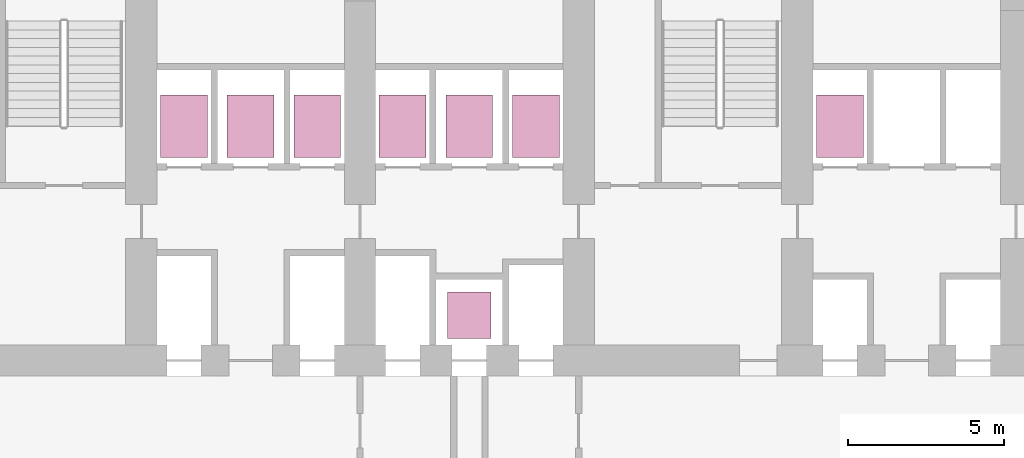
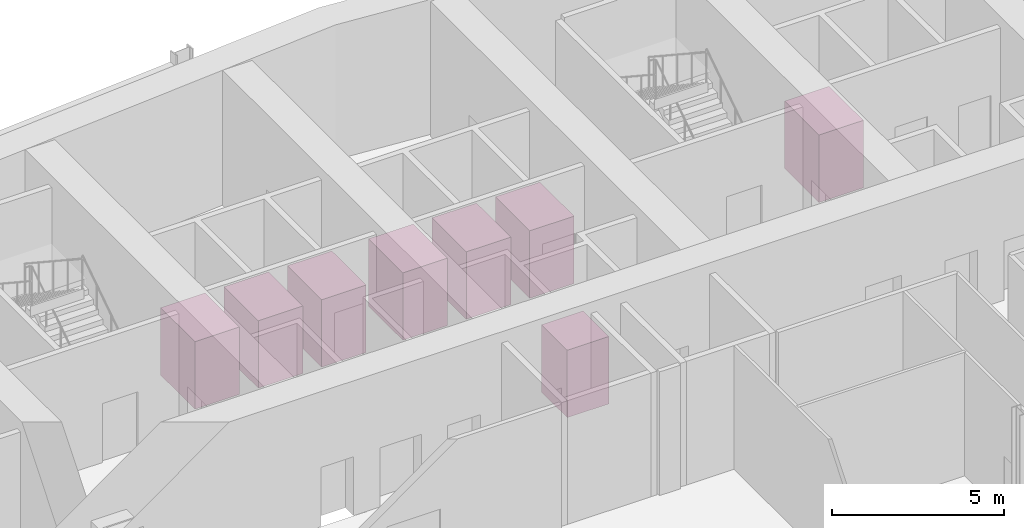
# One storey, part 42 of 42: 8 transport elements.
"""IFC4 building model written with IfcOpenShell, lengths in metres."""

import ifcopenshell
import ifcopenshell.guid

model = None  # the IFC model being written
_history = None  # IfcOwnerHistory: only IFC2X3 demands one
_inside = {}  # id of a spatial element -> (the spatial element, [elements in it])
_under = {}  # id of a project, library or spatial element -> (it, [spatial elements below it])
_declared = {}  # id of a project -> (the project, [libraries it declares])
_typed = {}  # id of a type object -> (the type object, [elements of that type])
_made_of = {}  # id of a material, layer set ... -> (it, [elements and type objects made of it])


def new_model(schema):
    """Start an empty IFC model of exactly this schema.

    Asked for "IFC4X3", IfcOpenShell would pick the latest addendum, in which some entities
    have other attributes; the version numbers below select the first issue.
    IFC2X3 requires an IfcOwnerHistory on every rooted entity: one is made here for all.
    """
    global model, _history
    if schema == "IFC4X3":
        model = ifcopenshell.file(schema_version=(4, 3, 0, 0))
    else:
        model = ifcopenshell.file(schema=schema)
    _inside.clear()
    _under.clear()
    _declared.clear()
    _typed.clear()
    _made_of.clear()
    _history = None
    if model.schema == "IFC2X3":
        org = make("IfcOrganization", Name="unknown")
        user = make(
            "IfcPersonAndOrganization",
            ThePerson=make("IfcPerson", FamilyName="unknown"),
            TheOrganization=org,
        )
        app = make(
            "IfcApplication",
            ApplicationDeveloper=org,
            Version="unknown",
            ApplicationFullName="unknown",
            ApplicationIdentifier="unknown",
        )
        _history = make(
            "IfcOwnerHistory",
            OwningUser=user,
            OwningApplication=app,
            ChangeAction="ADDED",
            CreationDate=0,
        )
    return model


def make(cls, **values):
    """One entity of the class cls with the attributes given. An attribute that is None is left unset."""
    return model.create_entity(
        cls, **{name: value for name, value in values.items() if value is not None}
    )


def rooted(cls, **values):
    """An entity with a GlobalId (a new one), such as an element, a storey or a relation."""
    return make(cls, GlobalId=ifcopenshell.guid.new(), OwnerHistory=_history, **values)


def si_unit(unit_type, name, prefix=None):
    """IfcSIUnit, for example si_unit("LENGTHUNIT", "METRE", prefix="MILLI")."""
    return make("IfcSIUnit", UnitType=unit_type, Prefix=prefix, Name=name)


def assignment(units):
    """IfcUnitAssignment: the units of a project."""
    return None if units is None else make("IfcUnitAssignment", Units=units)


def point(xyz):
    """IfcCartesianPoint."""
    return None if xyz is None else make("IfcCartesianPoint", Coordinates=xyz)


def direction(xyz):
    """IfcDirection."""
    return None if xyz is None else make("IfcDirection", DirectionRatios=xyz)


def frame(location, z_axis=None, x_axis=None):
    """IfcAxis2Placement3D, a coordinate frame: its origin and axes. An axis left out is left unset."""
    return make(
        "IfcAxis2Placement3D",
        Location=point(location),
        Axis=direction(z_axis),
        RefDirection=direction(x_axis),
    )


def frame_2d(location, x_axis=None):
    """IfcAxis2Placement2D, a coordinate frame in the plane: its origin and x axis."""
    return make(
        "IfcAxis2Placement2D", Location=point(location), RefDirection=direction(x_axis)
    )


def origin():
    """The frame at (0, 0, 0) with its axes left unset."""
    return frame((0.0, 0.0, 0.0))


def origin_2d():
    """The frame at (0, 0) in the plane with its x axis left unset."""
    return frame_2d((0.0, 0.0))


def place(relative_to, where):
    """IfcLocalPlacement: puts the frame where relative to a parent placement (None: the world)."""
    return make(
        "IfcLocalPlacement", PlacementRelTo=relative_to, RelativePlacement=where
    )


def context(
    kind, dimensions, precision=None, world=None, true_north=None, identifier=None
):
    """IfcGeometricRepresentationContext, for example the 3D "Model" context."""
    return make(
        "IfcGeometricRepresentationContext",
        ContextIdentifier=identifier,
        ContextType=kind,
        CoordinateSpaceDimension=dimensions,
        Precision=precision,
        WorldCoordinateSystem=world,
        TrueNorth=true_north,
    )


def subcontext(parent, identifier, kind, view, scale=None):
    """IfcGeometricRepresentationSubContext, for example "Body" below "Model"."""
    return make(
        "IfcGeometricRepresentationSubContext",
        ContextIdentifier=identifier,
        ContextType=kind,
        ParentContext=parent,
        TargetScale=scale,
        TargetView=view,
    )


def project(units=None, contexts=None):
    """IfcProject with its units and contexts."""
    return rooted(
        "IfcProject",
        Name="project",
        RepresentationContexts=contexts,
        UnitsInContext=assignment(units),
    )


def spatial(cls, under=None, at=None, **own):
    """A site, building, storey or space (cls), placed at a placement, below another one or the project."""
    s = rooted(cls, ObjectPlacement=at, **own)
    if under is not None:
        _under.setdefault(under.id(), (under, []))[1].append(s)
    return s


def profile(cls, at=None, kind="AREA", **sizes):
    """A parametric profile (cls). Its sizes go by their IFC names, for example OverallWidth=200.0."""
    return make(cls, ProfileType=kind, Position=at, **sizes)


def rectangle(**sizes):
    """IfcRectangleProfileDef."""
    return profile("IfcRectangleProfileDef", **sizes)


def extrude(swept, where, along, depth):
    """IfcExtrudedAreaSolid: the profile swept, set in the frame where, extruded along a direction by depth."""
    return make(
        "IfcExtrudedAreaSolid",
        SweptArea=swept,
        Position=where,
        ExtrudedDirection=direction(along),
        Depth=depth,
    )


def shape(context_of_items, identifier, shape_type, items):
    """IfcShapeRepresentation: the items that make up one representation, for example the "Body"."""
    return make(
        "IfcShapeRepresentation",
        ContextOfItems=context_of_items,
        RepresentationIdentifier=identifier,
        RepresentationType=shape_type,
        Items=items,
    )


def material(Name=None, Category=None):
    """IfcMaterial."""
    return make("IfcMaterial", Name=Name, Category=Category)


def made_of(thing, what):
    """Note that an element or type object is made of a material, layer set ...; save() writes the relation."""
    if what is not None:
        _made_of.setdefault(what.id(), (what, []))[1].append(thing)
    return thing


def type_object(cls, material=None, **own):
    """A type object (cls), such as IfcWallType, which elements share."""
    return made_of(rooted(cls, **own), material)


def element(
    cls,
    number,
    at=None,
    inside=None,
    cuts=None,
    type_object=None,
    material=None,
    context=None,
    identifier="Body",
    shape_type=None,
    held_by="IfcProductDefinitionShape",
    body=None,
    shapes=None,
    **own,
):
    """One element of the class cls, such as IfcWall. Its Tag is "e" and its number.

    at: its placement. inside: the storey or other place that contains it. cuts: it is an
    opening in that element (IfcRelVoidsElement). A single representation is given by context,
    identifier, shape_type and body (its items); several are given by shapes. held_by: the class
    of the entity that holds the representations. save() writes the other relations.
    """
    e = rooted(cls, Tag="e%d" % number, ObjectPlacement=at, **own)
    if body is not None:
        shapes = [shape(context, identifier, shape_type, body)]
    if shapes is not None:
        e.Representation = make(held_by, Representations=shapes)
    if inside is not None:
        _inside.setdefault(inside.id(), (inside, []))[1].append(e)
    if cuts is not None:
        rooted(
            "IfcRelVoidsElement", RelatingBuildingElement=cuts, RelatedOpeningElement=e
        )
    if type_object is not None:
        _typed.setdefault(type_object.id(), (type_object, []))[1].append(e)
    return made_of(e, material)


def aggregate(whole, parts):
    """IfcRelAggregates: a whole, such as a stair, and the parts it consists of."""
    return rooted("IfcRelAggregates", RelatingObject=whole, RelatedObjects=parts)


def save(model, path):
    """Write the relations noted so far, then the file.

    IfcRelAggregates (storeys below a building ...), IfcRelContainedInSpatialStructure (elements
    in a storey), IfcRelDefinesByType, IfcRelAssociatesMaterial and IfcRelDeclares: one each for
    every whole, place, type object, material and project.
    """
    for whole, parts in _under.values():
        aggregate(whole, parts)
    for where, things in _inside.values():
        rooted(
            "IfcRelContainedInSpatialStructure",
            RelatedElements=things,
            RelatingStructure=where,
        )
    for kind, things in _typed.values():
        rooted("IfcRelDefinesByType", RelatedObjects=things, RelatingType=kind)
    for what, things in _made_of.values():
        rooted("IfcRelAssociatesMaterial", RelatedObjects=things, RelatingMaterial=what)
    for by, libraries in _declared.values():
        rooted("IfcRelDeclares", RelatingContext=by, RelatedDefinitions=libraries)
    model.write(path)


model = new_model("IFC4")

# Units and contexts
model_context = context("Model", 3, precision=1e-05, world=origin(), true_north=direction((0.0, 1.0)))
body_context = subcontext(model_context, "Body", "Model", "MODEL_VIEW")
ifc_project = project(units=[si_unit("LENGTHUNIT", "METRE"), si_unit("AREAUNIT", "SQUARE_METRE"), si_unit("VOLUMEUNIT", "CUBIC_METRE"), si_unit("PLANEANGLEUNIT", "RADIAN"), si_unit("MASSUNIT", "GRAM", prefix="KILO")], contexts=[model_context])

# Site, building, storey
site_placement = place(None, origin())
site = spatial("IfcSite", under=ifc_project, at=site_placement, CompositionType="ELEMENT")
building_placement = place(site_placement, origin())
building = spatial("IfcBuilding", under=site, at=building_placement, Name="Wharfspan Tower", CompositionType="ELEMENT")
storey_placement = place(building_placement, frame((0.0, 0.0, 147.100098)))
storey = spatial("IfcBuildingStorey", under=building, at=storey_placement, Name="L35", CompositionType="ELEMENT", Elevation=147.100098)

# Transport elements
ifc_material = material(Name="Stainless steel", Category="steel")
transport_element_type = type_object("IfcTransportElementType", Name="Lift car", PredefinedType="ELEVATOR", material=ifc_material)
for number, where, z_axis, x_axis, name in (
    (1, (31.366699, 42.0, 0.0), (0.0, 0.0, 1.0), (1.0, 0.0, 0.0), "Passenger lift LB1"),
    (2, (33.5, 42.0, 0.0), (0.0, 0.0, 1.0), (1.0, 0.0, 0.0), "Passenger lift LB2"),
    (3, (35.633301, 42.0, 0.0), (0.0, 0.0, 1.0), (1.0, 0.0, 0.0), "Passenger lift LB3"),
    (4, (38.366699, 42.0, 0.0), (0.0, 0.0, 1.0), (1.0, 0.0, 0.0), "Passenger lift LB4"),
    (5, (40.5, 42.0, 0.0), (0.0, 0.0, 1.0), (1.0, 0.0, 0.0), "Passenger lift LB5"),
    (6, (42.633301, 42.0, 0.0), (0.0, 0.0, 1.0), (1.0, 0.0, 0.0), "Passenger lift LB6"),
):
    element("IfcTransportElement", number, at=place(storey_placement, frame(where, z_axis=z_axis, x_axis=x_axis)), inside=storey, type_object=transport_element_type, Name=name, PredefinedType="ELEVATOR", context=body_context, shape_type="SweptSolid", body=[
        extrude(rectangle(XDim=1.5, YDim=2.0, at=origin_2d()), origin(), (0.0, 0.0, 1.0), 2.399902),
    ])
transport_element_1_placement = place(storey_placement, frame((40.5, 35.949951, 0.0), z_axis=(0.0, 0.0, 1.0), x_axis=(1.0, 0.0, 0.0)))
element("IfcTransportElement", 7, at=transport_element_1_placement, inside=storey, type_object=transport_element_type, Name="Passenger lift LB7", PredefinedType="ELEVATOR", context=body_context, shape_type="SweptSolid", body=[
    extrude(rectangle(XDim=1.399902, YDim=1.5, at=origin_2d()), origin(), (0.0, 0.0, 1.0), 2.399902),
])
transport_element_2_placement = place(storey_placement, frame((52.366699, 42.0, 0.0), z_axis=(0.0, 0.0, 1.0), x_axis=(1.0, 0.0, 0.0)))
element("IfcTransportElement", 8, at=transport_element_2_placement, inside=storey, type_object=transport_element_type, Name="Passenger lift LB8", PredefinedType="ELEVATOR", context=body_context, shape_type="SweptSolid", body=[
    extrude(rectangle(XDim=1.5, YDim=2.0, at=origin_2d()), origin(), (0.0, 0.0, 1.0), 2.399902),
])

save(model, "model.ifc")
